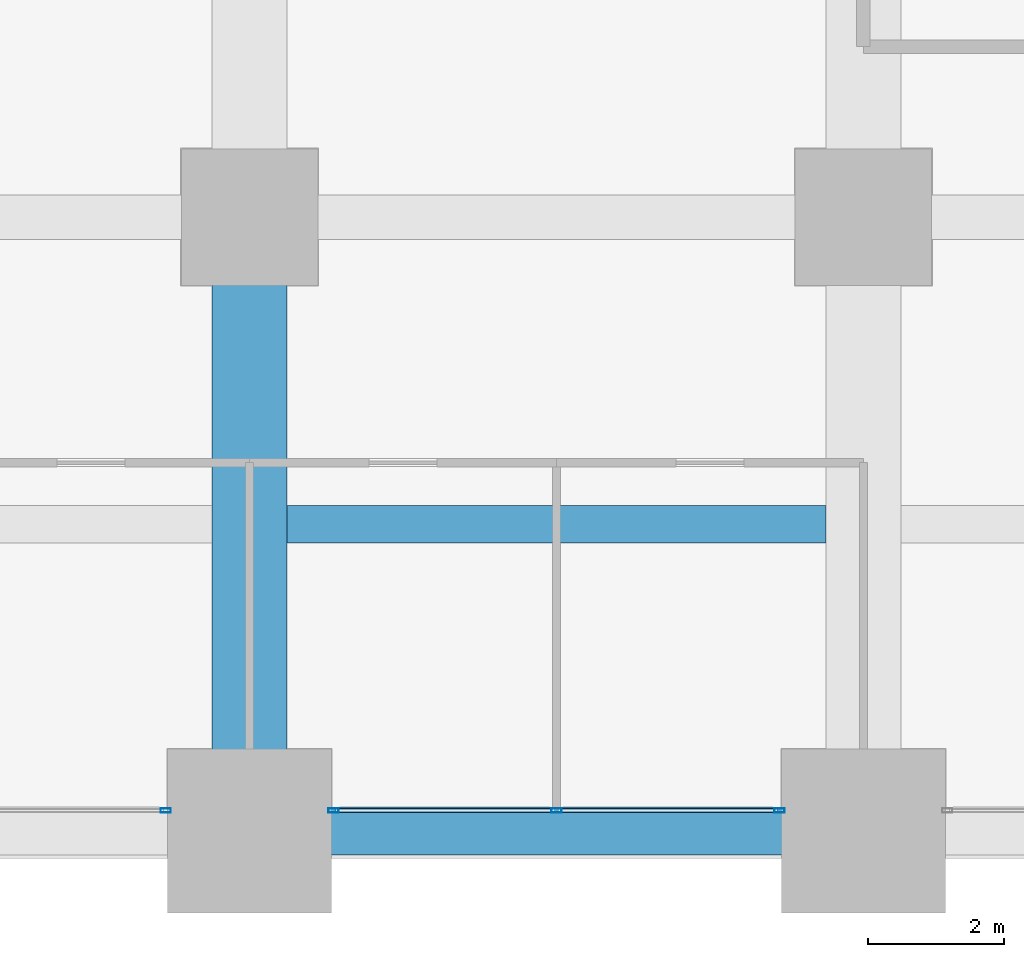
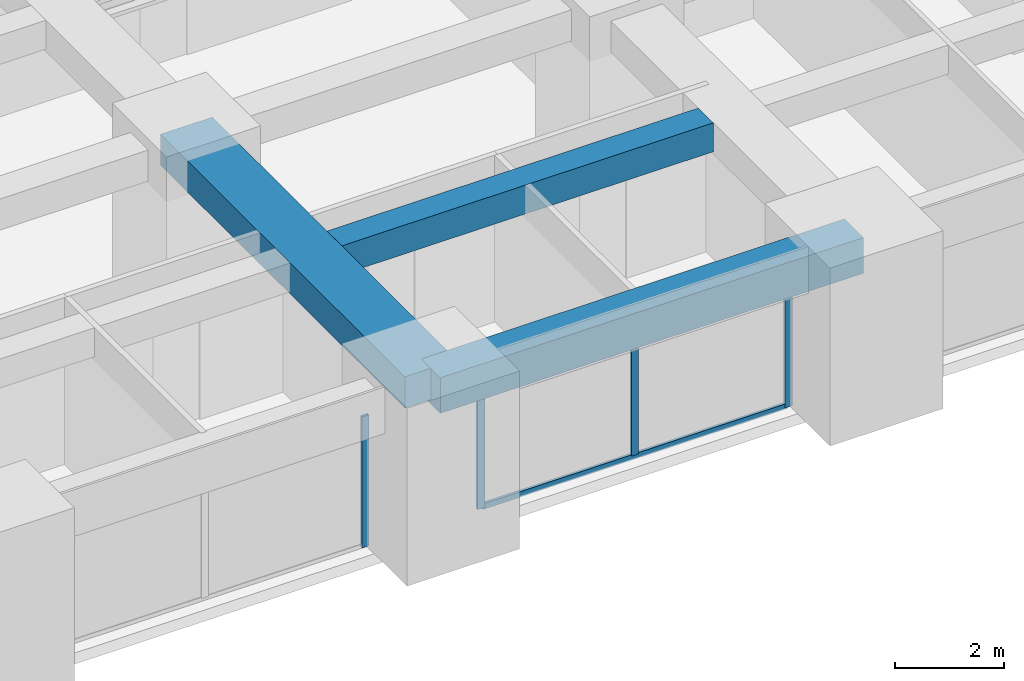
# One storey, part 6 of 41: 5 members, 3 beams, 2 elements without a shape of their own.
"""IFC4 building model written with IfcOpenShell, lengths in metres."""

from ifc_helpers import new_model, si_unit, direction, frame, origin, origin_2d, place, context, subcontext, project, spatial, rectangle, hollow_rectangle, extrude, material, material_profile, profile_set, type_object, element, aggregate, save


model = new_model("IFC4")

# Units and contexts
model_context = context("Model", 3, precision=1e-05, world=origin(), true_north=direction((0.0, 1.0)))
body_context = subcontext(model_context, "Body", "Model", "MODEL_VIEW")
ifc_project = project(units=[si_unit("LENGTHUNIT", "METRE"), si_unit("AREAUNIT", "SQUARE_METRE"), si_unit("VOLUMEUNIT", "CUBIC_METRE"), si_unit("PLANEANGLEUNIT", "RADIAN"), si_unit("MASSUNIT", "GRAM", prefix="KILO")], contexts=[model_context])

# Site, building, storey
site_placement = place(None, origin())
site = spatial("IfcSite", under=ifc_project, at=site_placement, CompositionType="ELEMENT")
building_placement = place(site_placement, origin())
building = spatial("IfcBuilding", under=site, at=building_placement, Name="Zorevar Civic Tower", CompositionType="ELEMENT")
storey_placement = place(building_placement, frame((0.0, 0.0, 97.0)))
storey = spatial("IfcBuildingStorey", under=building, at=storey_placement, Name="L23", CompositionType="ELEMENT", Elevation=97.0)

# Beams
ifc_material_1 = material(Name="Concrete C50/60", Category="concrete")
ifc_material_profile_1 = material_profile(ifc_material_1, rectangle(XDim=1.10009765625, YDim=0.699951171875, at=origin_2d()), Name="RC 1100x700")
ifc_profile_set_1 = profile_set([ifc_material_profile_1], Name="Concrete C50/60")
beam_type_1 = type_object("IfcBeamType", Name="Beam RC 1100x700", PredefinedType="BEAM", material=ifc_profile_set_1)
beam_1_placement = place(storey_placement, frame((18.0, 0.0, 3.39990234375), z_axis=(0.0, 1.0, 0.0), x_axis=(-1.0, 0.0, 0.0)))
element("IfcBeam", 1, at=beam_1_placement, inside=storey, type_object=beam_type_1, Name="Girder L24", PredefinedType="BEAM", context=body_context, shape_type="SweptSolid", body=[
    extrude(rectangle(XDim=1.10009765625, YDim=0.699951171875, at=origin_2d()), origin(), (0.0, 0.0, 1.0), 9.0),
])
ifc_material_2 = material(Name="Concrete C50/60", Category="concrete")
ifc_material_profile_2 = material_profile(ifc_material_2, rectangle(XDim=0.550048828125, YDim=0.64990234375, at=origin_2d()), Name="RC 550x650")
ifc_profile_set_2 = profile_set([ifc_material_profile_2], Name="Concrete C50/60")
beam_type_2 = type_object("IfcBeamType", Name="Beam RC 550x650", PredefinedType="BEAM", material=ifc_profile_set_2)
beam_2_placement = place(storey_placement, frame((18.550048828125, 4.5, 3.425048828125), z_axis=(1.0, 0.0, 0.0), x_axis=(0.0, 1.0, 0.0)))
element("IfcBeam", 2, at=beam_2_placement, inside=storey, type_object=beam_type_2, Name="Secondary beam L24", PredefinedType="BEAM", context=body_context, shape_type="SweptSolid", body=[
    extrude(rectangle(XDim=0.550048828125, YDim=0.64990234375, at=origin_2d()), origin(), (0.0, 0.0, 1.0), 7.89990234375),
])

# Curtain wall, member
ifc_material_3 = material(Name="Dark grey solar-control glass in black aluminium frame", Category="aluminium")
curtain_wall_type = type_object("IfcCurtainWallType", Name="Curtain wall CW3 mid zone", PredefinedType="NOTDEFINED", material=ifc_material_3)
curtain_wall_1_placement = place(storey_placement, origin())
curtain_wall_1 = element("IfcCurtainWall", 3, at=curtain_wall_1_placement, inside=storey, type_object=curtain_wall_type, Name="CW3 L23", PredefinedType="NOTDEFINED")
ifc_material_4 = material(Name="Aluminium, black anodised", Category="aluminium")
ifc_material_profile_3 = material_profile(ifc_material_4, hollow_rectangle(XDim=0.06005859375, YDim=0.14990234375, WallThickness=0.00390625, at=origin_2d()), Name="AL 150x60x4")
ifc_profile_set_3 = profile_set([ifc_material_profile_3], Name="Aluminium, black anodised")
member_type_1 = type_object("IfcMemberType", Name="CW3 mullion AL 150x60x4", PredefinedType="MULLION", material=ifc_profile_set_3)
member_1_placement = place(storey_placement, frame((16.77001953125, 0.300048828125, 0.0), z_axis=(0.0, 0.0, 1.0), x_axis=(0.0, 1.0, 0.0)))
member_1 = element("IfcMember", 4, at=member_1_placement, type_object=member_type_1, Name="CW3 mullion 3", PredefinedType="MULLION", context=body_context, shape_type="SweptSolid", body=[
    extrude(hollow_rectangle(XDim=0.06005859375, YDim=0.14990234375, WallThickness=0.00390625, at=origin_2d()), origin(), (0.0, 0.0, 1.0), 2.949951171875),
])
aggregate(curtain_wall_1, [member_1])

# Curtain wall, members
curtain_wall_2_placement = place(storey_placement, origin())
curtain_wall_2 = element("IfcCurtainWall", 5, at=curtain_wall_2_placement, inside=storey, type_object=curtain_wall_type, Name="CW3 L23", PredefinedType="NOTDEFINED")
member_2_placement = place(storey_placement, frame((19.22998046875, 0.300048828125, 0.0), z_axis=(0.0, 0.0, 1.0), x_axis=(0.0, 1.0, 0.0)))
member_2 = element("IfcMember", 6, at=member_2_placement, type_object=member_type_1, Name="CW3 mullion 1", PredefinedType="MULLION", context=body_context, shape_type="SweptSolid", body=[
    extrude(hollow_rectangle(XDim=0.06005859375, YDim=0.14990234375, WallThickness=0.00390625, at=origin_2d()), origin(), (0.0, 0.0, 1.0), 2.949951171875),
])
member_3_placement = place(storey_placement, frame((22.5, 0.300048828125, 0.06005859375), z_axis=(0.0, 0.0, 1.0), x_axis=(0.0, 1.0, 0.0)))
member_3 = element("IfcMember", 7, at=member_3_placement, type_object=member_type_1, Name="CW3 mullion 2", PredefinedType="MULLION", context=body_context, shape_type="SweptSolid", body=[
    extrude(hollow_rectangle(XDim=0.06005859375, YDim=0.14990234375, WallThickness=0.00390625, at=origin_2d()), origin(), (0.0, 0.0, 1.0), 2.889892578125),
])
member_4_placement = place(storey_placement, frame((25.77001953125, 0.300048828125, 0.0), z_axis=(0.0, 0.0, 1.0), x_axis=(0.0, 1.0, 0.0)))
member_4 = element("IfcMember", 8, at=member_4_placement, type_object=member_type_1, Name="CW3 mullion 3", PredefinedType="MULLION", context=body_context, shape_type="SweptSolid", body=[
    extrude(hollow_rectangle(XDim=0.06005859375, YDim=0.14990234375, WallThickness=0.00390625, at=origin_2d()), origin(), (0.0, 0.0, 1.0), 2.949951171875),
])
ifc_material_5 = material(Name="Aluminium, black anodised", Category="aluminium")
ifc_material_profile_4 = material_profile(ifc_material_5, hollow_rectangle(XDim=0.06005859375, YDim=0.1201171875, WallThickness=0.0029296875, at=origin_2d()), Name="AL 120x60x3")
ifc_profile_set_4 = profile_set([ifc_material_profile_4], Name="Aluminium, black anodised")
member_type_2 = type_object("IfcMemberType", Name="CW3 transom AL 120x60x3", PredefinedType="USERDEFINED", material=ifc_profile_set_4)
member_5_placement = place(storey_placement, frame((19.260009765625, 0.300048828125, 0.030029296875), z_axis=(1.0, 0.0, 0.0), x_axis=(0.0, 1.0, 0.0)))
member_5 = element("IfcMember", 9, at=member_5_placement, type_object=member_type_2, Name="CW3 sill transom", ObjectType="TRANSOM", PredefinedType="USERDEFINED", context=body_context, shape_type="SweptSolid", body=[
    extrude(hollow_rectangle(XDim=0.06005859375, YDim=0.1201171875, WallThickness=0.0029296875, at=origin_2d()), origin(), (0.0, 0.0, 1.0), 6.47998046875),
])
aggregate(curtain_wall_2, [member_2, member_3, member_4, member_5])

# Beam
ifc_material_6 = material(Name="Concrete C50/60", Category="concrete")
ifc_material_profile_5 = material_profile(ifc_material_6, rectangle(XDim=0.699951171875, YDim=0.800048828125, at=origin_2d()), Name="RC 700x800")
ifc_profile_set_5 = profile_set([ifc_material_profile_5], Name="Concrete C50/60")
beam_type_3 = type_object("IfcBeamType", Name="Edge beam RC 700x800", PredefinedType="SPANDREL", material=ifc_profile_set_5)
beam_3_placement = place(storey_placement, frame((18.0, 0.0, 3.35009765625), z_axis=(1.0, 0.0, 0.0), x_axis=(0.0, 1.0, 0.0)))
element("IfcBeam", 10, at=beam_3_placement, inside=storey, type_object=beam_type_3, Name="Edge beam L24", PredefinedType="SPANDREL", context=body_context, shape_type="SweptSolid", body=[
    extrude(rectangle(XDim=0.699951171875, YDim=0.800048828125, at=origin_2d()), origin(), (0.0, 0.0, 1.0), 9.0),
])

save(model, "model.ifc")
